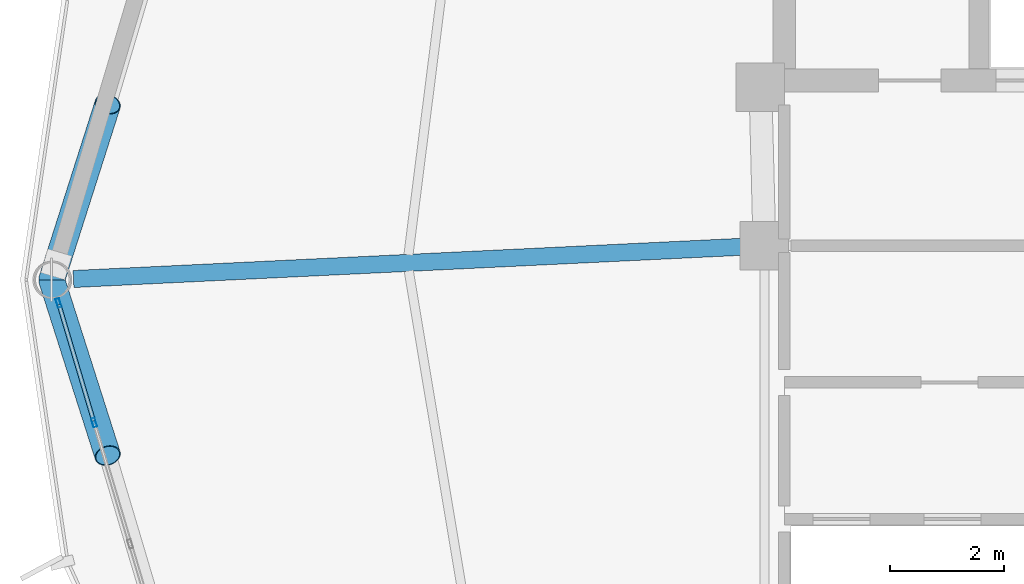
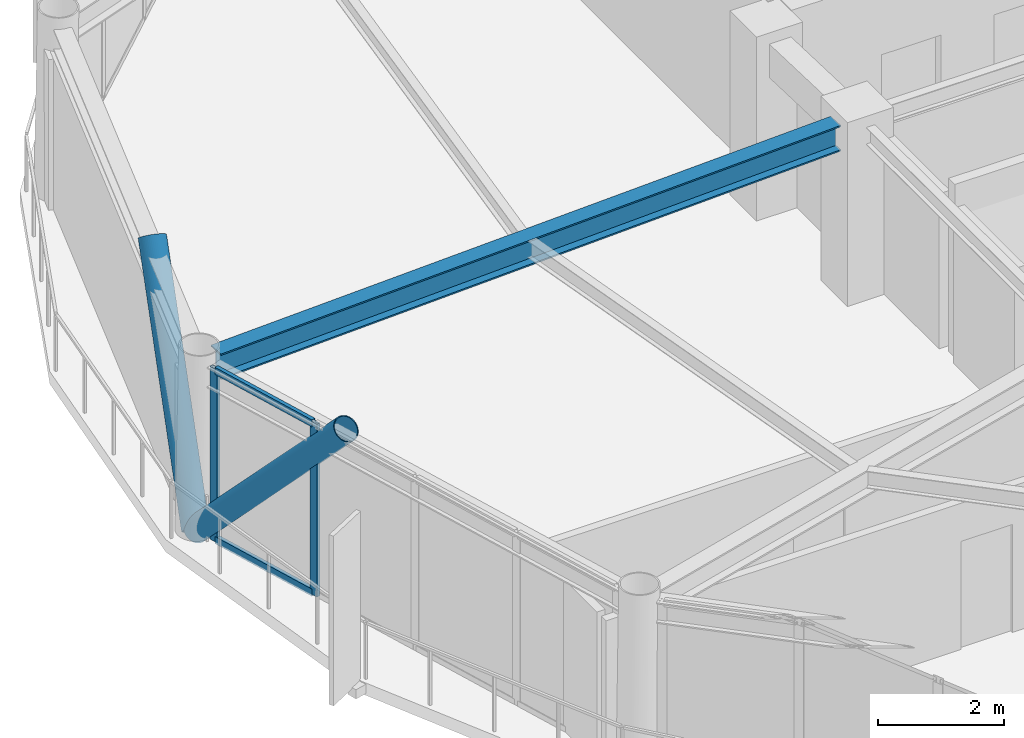
# One storey, part 12 of 29: 6 members, 1 beam, 1 element without a shape of its own.
"""IFC4 building model written with IfcOpenShell, lengths in metres."""

import ifcopenshell
import ifcopenshell.guid

model = None  # the IFC model being written
_history = None  # IfcOwnerHistory: only IFC2X3 demands one
_inside = {}  # id of a spatial element -> (the spatial element, [elements in it])
_under = {}  # id of a project, library or spatial element -> (it, [spatial elements below it])
_declared = {}  # id of a project -> (the project, [libraries it declares])
_typed = {}  # id of a type object -> (the type object, [elements of that type])
_made_of = {}  # id of a material, layer set ... -> (it, [elements and type objects made of it])


def new_model(schema):
    """Start an empty IFC model of exactly this schema.

    Asked for "IFC4X3", IfcOpenShell would pick the latest addendum, in which some entities
    have other attributes; the version numbers below select the first issue.
    IFC2X3 requires an IfcOwnerHistory on every rooted entity: one is made here for all.
    """
    global model, _history
    if schema == "IFC4X3":
        model = ifcopenshell.file(schema_version=(4, 3, 0, 0))
    else:
        model = ifcopenshell.file(schema=schema)
    _inside.clear()
    _under.clear()
    _declared.clear()
    _typed.clear()
    _made_of.clear()
    _history = None
    if model.schema == "IFC2X3":
        org = make("IfcOrganization", Name="unknown")
        user = make(
            "IfcPersonAndOrganization",
            ThePerson=make("IfcPerson", FamilyName="unknown"),
            TheOrganization=org,
        )
        app = make(
            "IfcApplication",
            ApplicationDeveloper=org,
            Version="unknown",
            ApplicationFullName="unknown",
            ApplicationIdentifier="unknown",
        )
        _history = make(
            "IfcOwnerHistory",
            OwningUser=user,
            OwningApplication=app,
            ChangeAction="ADDED",
            CreationDate=0,
        )
    return model


def make(cls, **values):
    """One entity of the class cls with the attributes given. An attribute that is None is left unset."""
    return model.create_entity(
        cls, **{name: value for name, value in values.items() if value is not None}
    )


def rooted(cls, **values):
    """An entity with a GlobalId (a new one), such as an element, a storey or a relation."""
    return make(cls, GlobalId=ifcopenshell.guid.new(), OwnerHistory=_history, **values)


def si_unit(unit_type, name, prefix=None):
    """IfcSIUnit, for example si_unit("LENGTHUNIT", "METRE", prefix="MILLI")."""
    return make("IfcSIUnit", UnitType=unit_type, Prefix=prefix, Name=name)


def assignment(units):
    """IfcUnitAssignment: the units of a project."""
    return None if units is None else make("IfcUnitAssignment", Units=units)


def point(xyz):
    """IfcCartesianPoint."""
    return None if xyz is None else make("IfcCartesianPoint", Coordinates=xyz)


def direction(xyz):
    """IfcDirection."""
    return None if xyz is None else make("IfcDirection", DirectionRatios=xyz)


def frame(location, z_axis=None, x_axis=None):
    """IfcAxis2Placement3D, a coordinate frame: its origin and axes. An axis left out is left unset."""
    return make(
        "IfcAxis2Placement3D",
        Location=point(location),
        Axis=direction(z_axis),
        RefDirection=direction(x_axis),
    )


def frame_2d(location, x_axis=None):
    """IfcAxis2Placement2D, a coordinate frame in the plane: its origin and x axis."""
    return make(
        "IfcAxis2Placement2D", Location=point(location), RefDirection=direction(x_axis)
    )


def origin():
    """The frame at (0, 0, 0) with its axes left unset."""
    return frame((0.0, 0.0, 0.0))


def origin_2d():
    """The frame at (0, 0) in the plane with its x axis left unset."""
    return frame_2d((0.0, 0.0))


def place(relative_to, where):
    """IfcLocalPlacement: puts the frame where relative to a parent placement (None: the world)."""
    return make(
        "IfcLocalPlacement", PlacementRelTo=relative_to, RelativePlacement=where
    )


def context(
    kind, dimensions, precision=None, world=None, true_north=None, identifier=None
):
    """IfcGeometricRepresentationContext, for example the 3D "Model" context."""
    return make(
        "IfcGeometricRepresentationContext",
        ContextIdentifier=identifier,
        ContextType=kind,
        CoordinateSpaceDimension=dimensions,
        Precision=precision,
        WorldCoordinateSystem=world,
        TrueNorth=true_north,
    )


def subcontext(parent, identifier, kind, view, scale=None):
    """IfcGeometricRepresentationSubContext, for example "Body" below "Model"."""
    return make(
        "IfcGeometricRepresentationSubContext",
        ContextIdentifier=identifier,
        ContextType=kind,
        ParentContext=parent,
        TargetScale=scale,
        TargetView=view,
    )


def project(units=None, contexts=None):
    """IfcProject with its units and contexts."""
    return rooted(
        "IfcProject",
        Name="project",
        RepresentationContexts=contexts,
        UnitsInContext=assignment(units),
    )


def spatial(cls, under=None, at=None, **own):
    """A site, building, storey or space (cls), placed at a placement, below another one or the project."""
    s = rooted(cls, ObjectPlacement=at, **own)
    if under is not None:
        _under.setdefault(under.id(), (under, []))[1].append(s)
    return s


def profile(cls, at=None, kind="AREA", **sizes):
    """A parametric profile (cls). Its sizes go by their IFC names, for example OverallWidth=200.0."""
    return make(cls, ProfileType=kind, Position=at, **sizes)


def hollow_rectangle(**sizes):
    """IfcRectangleHollowProfileDef."""
    return profile("IfcRectangleHollowProfileDef", **sizes)


def hollow_circle(**sizes):
    """IfcCircleHollowProfileDef."""
    return profile("IfcCircleHollowProfileDef", **sizes)


def i_section(**sizes):
    """IfcIShapeProfileDef."""
    return profile("IfcIShapeProfileDef", **sizes)


def extrude(swept, where, along, depth):
    """IfcExtrudedAreaSolid: the profile swept, set in the frame where, extruded along a direction by depth."""
    return make(
        "IfcExtrudedAreaSolid",
        SweptArea=swept,
        Position=where,
        ExtrudedDirection=direction(along),
        Depth=depth,
    )


def shape(context_of_items, identifier, shape_type, items):
    """IfcShapeRepresentation: the items that make up one representation, for example the "Body"."""
    return make(
        "IfcShapeRepresentation",
        ContextOfItems=context_of_items,
        RepresentationIdentifier=identifier,
        RepresentationType=shape_type,
        Items=items,
    )


def material(Name=None, Category=None):
    """IfcMaterial."""
    return make("IfcMaterial", Name=Name, Category=Category)


def layer(
    of_material, thickness, ventilated=None, Name=None, Category=None, Priority=None
):
    """IfcMaterialLayer: one layer of a wall or slab, of a material (None: an air gap)."""
    return make(
        "IfcMaterialLayer",
        Material=of_material,
        LayerThickness=thickness,
        IsVentilated=ventilated,
        Name=Name,
        Category=Category,
        Priority=Priority,
    )


def layer_set(layers, Name=None):
    """IfcMaterialLayerSet."""
    return make("IfcMaterialLayerSet", MaterialLayers=layers, LayerSetName=Name)


def material_profile(
    of_material, cross_section, Name=None, Category=None, Priority=None
):
    """IfcMaterialProfile: a cross section and its material."""
    return make(
        "IfcMaterialProfile",
        Name=Name,
        Material=of_material,
        Profile=cross_section,
        Priority=Priority,
        Category=Category,
    )


def profile_set(profiles, Name=None, composite=None):
    """IfcMaterialProfileSet."""
    return make(
        "IfcMaterialProfileSet",
        Name=Name,
        MaterialProfiles=profiles,
        CompositeProfile=composite,
    )


def made_of(thing, what):
    """Note that an element or type object is made of a material, layer set ...; save() writes the relation."""
    if what is not None:
        _made_of.setdefault(what.id(), (what, []))[1].append(thing)
    return thing


def type_object(cls, material=None, **own):
    """A type object (cls), such as IfcWallType, which elements share."""
    return made_of(rooted(cls, **own), material)


def element(
    cls,
    number,
    at=None,
    inside=None,
    cuts=None,
    type_object=None,
    material=None,
    context=None,
    identifier="Body",
    shape_type=None,
    held_by="IfcProductDefinitionShape",
    body=None,
    shapes=None,
    **own,
):
    """One element of the class cls, such as IfcWall. Its Tag is "e" and its number.

    at: its placement. inside: the storey or other place that contains it. cuts: it is an
    opening in that element (IfcRelVoidsElement). A single representation is given by context,
    identifier, shape_type and body (its items); several are given by shapes. held_by: the class
    of the entity that holds the representations. save() writes the other relations.
    """
    e = rooted(cls, Tag="e%d" % number, ObjectPlacement=at, **own)
    if body is not None:
        shapes = [shape(context, identifier, shape_type, body)]
    if shapes is not None:
        e.Representation = make(held_by, Representations=shapes)
    if inside is not None:
        _inside.setdefault(inside.id(), (inside, []))[1].append(e)
    if cuts is not None:
        rooted(
            "IfcRelVoidsElement", RelatingBuildingElement=cuts, RelatedOpeningElement=e
        )
    if type_object is not None:
        _typed.setdefault(type_object.id(), (type_object, []))[1].append(e)
    return made_of(e, material)


def aggregate(whole, parts):
    """IfcRelAggregates: a whole, such as a stair, and the parts it consists of."""
    return rooted("IfcRelAggregates", RelatingObject=whole, RelatedObjects=parts)


def save(model, path):
    """Write the relations noted so far, then the file.

    IfcRelAggregates (storeys below a building ...), IfcRelContainedInSpatialStructure (elements
    in a storey), IfcRelDefinesByType, IfcRelAssociatesMaterial and IfcRelDeclares: one each for
    every whole, place, type object, material and project.
    """
    for whole, parts in _under.values():
        aggregate(whole, parts)
    for where, things in _inside.values():
        rooted(
            "IfcRelContainedInSpatialStructure",
            RelatedElements=things,
            RelatingStructure=where,
        )
    for kind, things in _typed.values():
        rooted("IfcRelDefinesByType", RelatedObjects=things, RelatingType=kind)
    for what, things in _made_of.values():
        rooted("IfcRelAssociatesMaterial", RelatedObjects=things, RelatingMaterial=what)
    for by, libraries in _declared.values():
        rooted("IfcRelDeclares", RelatingContext=by, RelatedDefinitions=libraries)
    model.write(path)


model = new_model("IFC4")

# Units and contexts
model_context = context("Model", 3, precision=1e-05, world=origin(), true_north=direction((0.0, 1.0)))
body_context = subcontext(model_context, "Body", "Model", "MODEL_VIEW")
ifc_project = project(units=[si_unit("LENGTHUNIT", "METRE"), si_unit("AREAUNIT", "SQUARE_METRE"), si_unit("VOLUMEUNIT", "CUBIC_METRE"), si_unit("PLANEANGLEUNIT", "RADIAN"), si_unit("MASSUNIT", "GRAM", prefix="KILO")], contexts=[model_context])

# Site, building, storey
site_placement = place(None, origin())
site = spatial("IfcSite", under=ifc_project, at=site_placement, CompositionType="ELEMENT")
building_placement = place(site_placement, origin())
building = spatial("IfcBuilding", under=site, at=building_placement, Name="Varnakorn Sky Granary", CompositionType="ELEMENT")
storey_placement = place(building_placement, frame((0.0, 0.0, 182.39990234375)))
storey = spatial("IfcBuildingStorey", under=building, at=storey_placement, Name="L45", CompositionType="ELEMENT", Elevation=182.39990234375)

# Beam
ifc_material_1 = material(Name="Steel S355JR", Category="steel")
ifc_material_profile_1 = material_profile(ifc_material_1, i_section(OverallWidth=0.300048828125, OverallDepth=0.5, WebThickness=0.014404296875, FlangeThickness=0.028076171875, at=origin_2d()), Name="HE 500 B")
ifc_profile_set_1 = profile_set([ifc_material_profile_1], Name="Steel S355JR")
beam_type = type_object("IfcBeamType", Name="BM-RAD-Z4", PredefinedType="BEAM", material=ifc_profile_set_1)
beam_placement = place(storey_placement, frame((-2.75439453125, 0.58056640625, 3.110107421875), z_axis=(-0.998839831726, -0.048155898461, 0.0), x_axis=(0.048155898461, -0.998839831726, 0.0)))
element("IfcBeam", 1, at=beam_placement, inside=storey, type_object=beam_type, Name="Radial Floor Girder RG07 L45", PredefinedType="BEAM", context=body_context, shape_type="SweptSolid", body=[
    extrude(i_section(OverallWidth=0.300048828125, OverallDepth=0.5, WebThickness=0.014404296875, FlangeThickness=0.028076171875, at=origin_2d()), origin(), (0.0, 0.0, 1.0), 11.74169921875),
])

# Curtain wall, members
ifc_material_2 = material(Name="Anodised Bronze Aluminium Alloy 6063-T6", Category="aluminium")
ifc_layer = layer(ifc_material_2, 0.169921875, Name="Anodised Bronze Aluminium Alloy 6063-T6")
ifc_layer_set = layer_set([ifc_layer], Name="Anodised Bronze Aluminium Alloy 6063-T6")
curtain_wall_type = type_object("IfcCurtainWallType", Name="CW-LAB-1", PredefinedType="USERDEFINED", material=ifc_layer_set)
curtain_wall_placement = place(storey_placement, origin())
curtain_wall = element("IfcCurtainWall", 2, at=curtain_wall_placement, inside=storey, type_object=curtain_wall_type, Name="Unitised Curtain Wall CW5 CW-L45-B07", ObjectType="CURTAIN WALL", PredefinedType="USERDEFINED")
ifc_material_profile_2 = material_profile(ifc_material_2, hollow_rectangle(XDim=0.06494140625, YDim=0.159912109375, WallThickness=0.00341796875, at=origin_2d()), Name="ALU MULL 65x160")
ifc_profile_set_2 = profile_set([ifc_material_profile_2], Name="Anodised Bronze Aluminium Alloy 6063-T6")
member_type_1 = type_object("IfcMemberType", Name="CW-LAB-1-MULL", PredefinedType="MULLION", material=ifc_profile_set_2)
member_1_placement = place(storey_placement, frame((-14.119873046875, -2.50537109375, 0.0), z_axis=(0.0, 0.0, 1.0), x_axis=(-0.958503400255, -0.285081096707, 0.0)))
member_1 = element("IfcMember", 3, at=member_1_placement, type_object=member_type_1, Name="CW5 mullion 4", PredefinedType="MULLION", context=body_context, shape_type="SweptSolid", body=[
    extrude(hollow_rectangle(XDim=0.06494140625, YDim=0.159912109375, WallThickness=0.00341796875, at=origin_2d()), origin(), (0.0, 0.0, 1.0), 3.360107421875),
])
member_2_placement = place(storey_placement, frame((-14.74462890625, -0.405029296875, 0.0), z_axis=(0.0, 0.0, 1.0), x_axis=(-0.958503400255, -0.285081096707, 0.0)))
member_2 = element("IfcMember", 4, at=member_2_placement, type_object=member_type_1, Name="CW5 mullion 5", PredefinedType="MULLION", context=body_context, shape_type="SweptSolid", body=[
    extrude(hollow_rectangle(XDim=0.06494140625, YDim=0.159912109375, WallThickness=0.00341796875, at=origin_2d()), origin(), (0.0, 0.0, 1.0), 3.360107421875),
])
ifc_material_profile_3 = material_profile(ifc_material_2, hollow_rectangle(XDim=0.070068359375, YDim=0.139892578125, WallThickness=0.00341796875, at=origin_2d()), Name="ALU TRAN 70x140")
ifc_profile_set_3 = profile_set([ifc_material_profile_3], Name="Anodised Bronze Aluminium Alloy 6063-T6")
member_type_2 = type_object("IfcMemberType", Name="CW-LAB-1-TRAN", PredefinedType="USERDEFINED", material=ifc_profile_set_3)
member_3_placement = place(storey_placement, frame((-14.129150390625, -2.47412109375, 0.03515625), z_axis=(-0.285092866619, 0.958499899532, 0.0), x_axis=(-0.958499899532, -0.285092866619, 0.0)))
member_3 = element("IfcMember", 5, at=member_3_placement, type_object=member_type_2, Name="CW5 transom 4.1", ObjectType="TRANSOM", PredefinedType="USERDEFINED", context=body_context, shape_type="SweptSolid", body=[
    extrude(hollow_rectangle(XDim=0.070068359375, YDim=0.139892578125, WallThickness=0.00341796875, at=origin_2d()), origin(), (0.0, 0.0, 1.0), 2.126220703125),
])
member_4_placement = place(storey_placement, frame((-14.129150390625, -2.47412109375, 3.3251953125), z_axis=(-0.285092866619, 0.958499899532, 0.0), x_axis=(-0.958499899532, -0.285092866619, 0.0)))
member_4 = element("IfcMember", 6, at=member_4_placement, type_object=member_type_2, Name="CW5 transom 4.2", ObjectType="TRANSOM", PredefinedType="USERDEFINED", context=body_context, shape_type="SweptSolid", body=[
    extrude(hollow_rectangle(XDim=0.070068359375, YDim=0.139892578125, WallThickness=0.00341796875, at=origin_2d()), origin(), (0.0, 0.0, 1.0), 2.126220703125),
])
aggregate(curtain_wall, [member_1, member_2, member_3, member_4])

# Members
ifc_material_3 = material(Name="Steel S460M", Category="steel")
ifc_material_profile_4 = material_profile(ifc_material_3, hollow_circle(Radius=0.228515625, WallThickness=0.01611328125, at=origin_2d()), Name="CHS 457x16")
ifc_profile_set_4 = profile_set([ifc_material_profile_4], Name="Steel S460M")
member_type_3 = type_object("IfcMemberType", Name="MB-DIAG-T3", PredefinedType="BRACE", material=ifc_profile_set_4)
for number, where, z_axis, x_axis, name in (
    (7, (-14.864990234375, 0.0, 0.0), (0.206749360677, 0.648040282798, 0.733006475913), (-0.95268986748, 0.303944100782, 0.0), "Perimeter CHS Diagrid Brace DG06 L45"),
    (8, (-14.864990234375, 0.0, 0.0), (0.206749360677, -0.648040282798, 0.733006475913), (0.95268986748, 0.303944100782, 0.0), "Perimeter CHS Diagrid Brace DG07 L45"),
):
    element("IfcMember", number, at=place(storey_placement, frame(where, z_axis=z_axis, x_axis=x_axis)), inside=storey, type_object=member_type_3, Name=name, PredefinedType="BRACE", context=body_context, shape_type="SweptSolid", body=[
        extrude(hollow_circle(Radius=0.228515625, WallThickness=0.01611328125, at=origin_2d()), origin(), (0.0, 0.0, 1.0), 4.76123046875),
    ])

save(model, "model.ifc")
